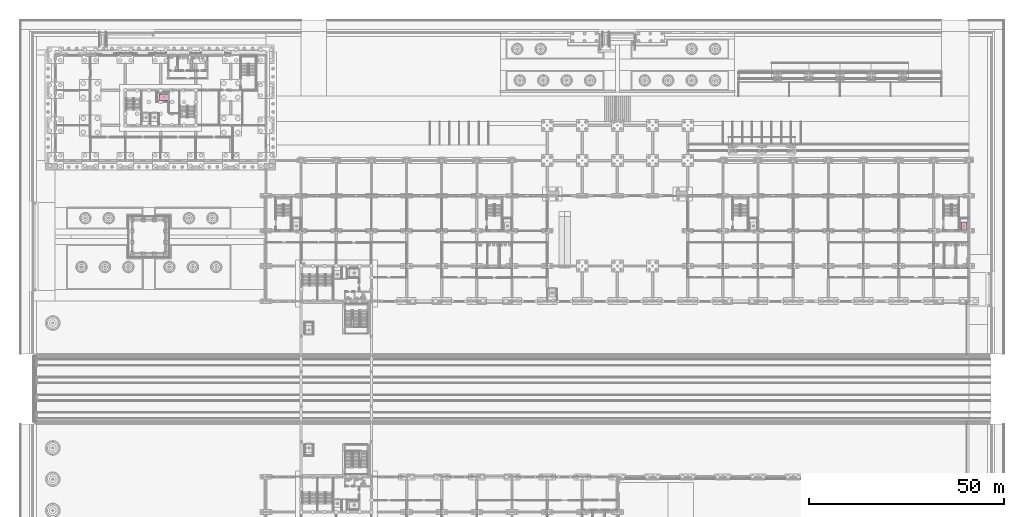
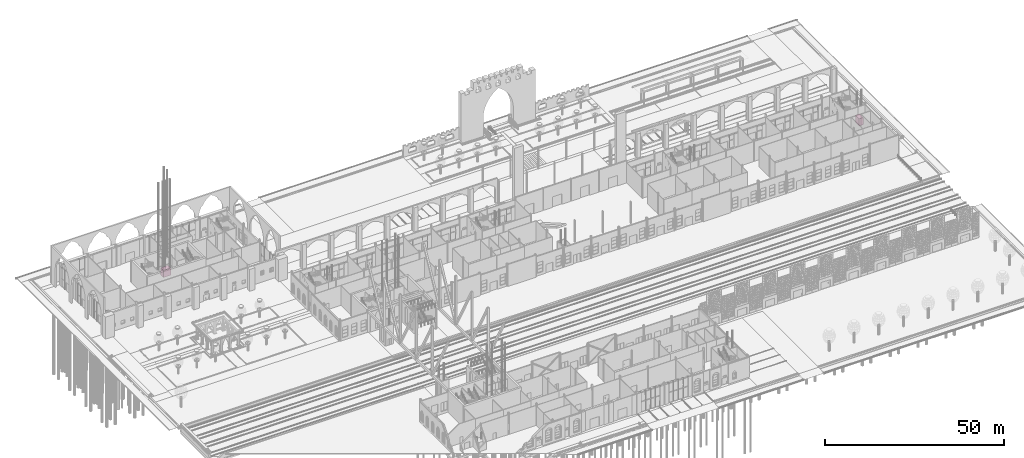
# One storey, part 237 of 250: 2 transport elements.
"""IFC4 building model written with IfcOpenShell, lengths in metres."""

from ifc_helpers import new_model, si_unit, direction, frame, origin, origin_2d, place, context, subcontext, project, spatial, rectangle, extrude, material, type_object, element, save


model = new_model("IFC4")

# Units and contexts
model_context = context("Model", 3, precision=1e-05, world=origin(), true_north=direction((0.0, 1.0)))
body_context = subcontext(model_context, "Body", "Model", "MODEL_VIEW")
ifc_project = project(units=[si_unit("LENGTHUNIT", "METRE"), si_unit("AREAUNIT", "SQUARE_METRE"), si_unit("VOLUMEUNIT", "CUBIC_METRE"), si_unit("PLANEANGLEUNIT", "RADIAN"), si_unit("MASSUNIT", "GRAM", prefix="KILO")], contexts=[model_context])

# Site, building, storey
site_placement = place(None, origin())
site = spatial("IfcSite", under=ifc_project, at=site_placement, CompositionType="ELEMENT")
building_placement = place(site_placement, origin())
building = spatial("IfcBuilding", under=site, at=building_placement, Name="Baradari Gate Terminus", CompositionType="ELEMENT")
storey_placement = place(building_placement, origin())
storey = spatial("IfcBuildingStorey", under=building, at=storey_placement, Name="L00", CompositionType="ELEMENT", Elevation=0.0)

# Transport elements
ifc_material_1 = material(Name="Stainless steel 1.4301", Category="steel")
transport_element_type_1 = type_object("IfcTransportElementType", Name="Firefighting lift car 1600x2400", PredefinedType="ELEVATOR", material=ifc_material_1)
transport_element_1_placement = place(storey_placement, frame((36.824951171875, 133.22509765625, 0.0), z_axis=(0.0, 0.0, 1.0), x_axis=(1.0, 0.0, 0.0)))
element("IfcTransportElement", 1, at=transport_element_1_placement, inside=storey, type_object=transport_element_type_1, Name="Lift LT3", PredefinedType="ELEVATOR", context=body_context, shape_type="SweptSolid", body=[
    extrude(rectangle(XDim=2.39990234375, YDim=1.60009765625, at=origin_2d()), origin(), (0.0, 0.0, 1.0), 2.39990234375),
])
ifc_material_2 = material(Name="Stainless steel 1.4301", Category="steel")
transport_element_type_2 = type_object("IfcTransportElementType", Name="Passenger lift car 1400x2100", PredefinedType="ELEVATOR", material=ifc_material_2)
transport_element_2_placement = place(storey_placement, frame((241.800048828125, 100.25, 0.0), z_axis=(0.0, 0.0, 1.0), x_axis=(1.0, 0.0, 0.0)))
element("IfcTransportElement", 2, at=transport_element_2_placement, inside=storey, type_object=transport_element_type_2, Name="Lift LH4", PredefinedType="ELEVATOR", context=body_context, shape_type="SweptSolid", body=[
    extrude(rectangle(XDim=1.39990234375, YDim=2.10009765625, at=origin_2d()), origin(), (0.0, 0.0, 1.0), 2.39990234375),
])

save(model, "model.ifc")
